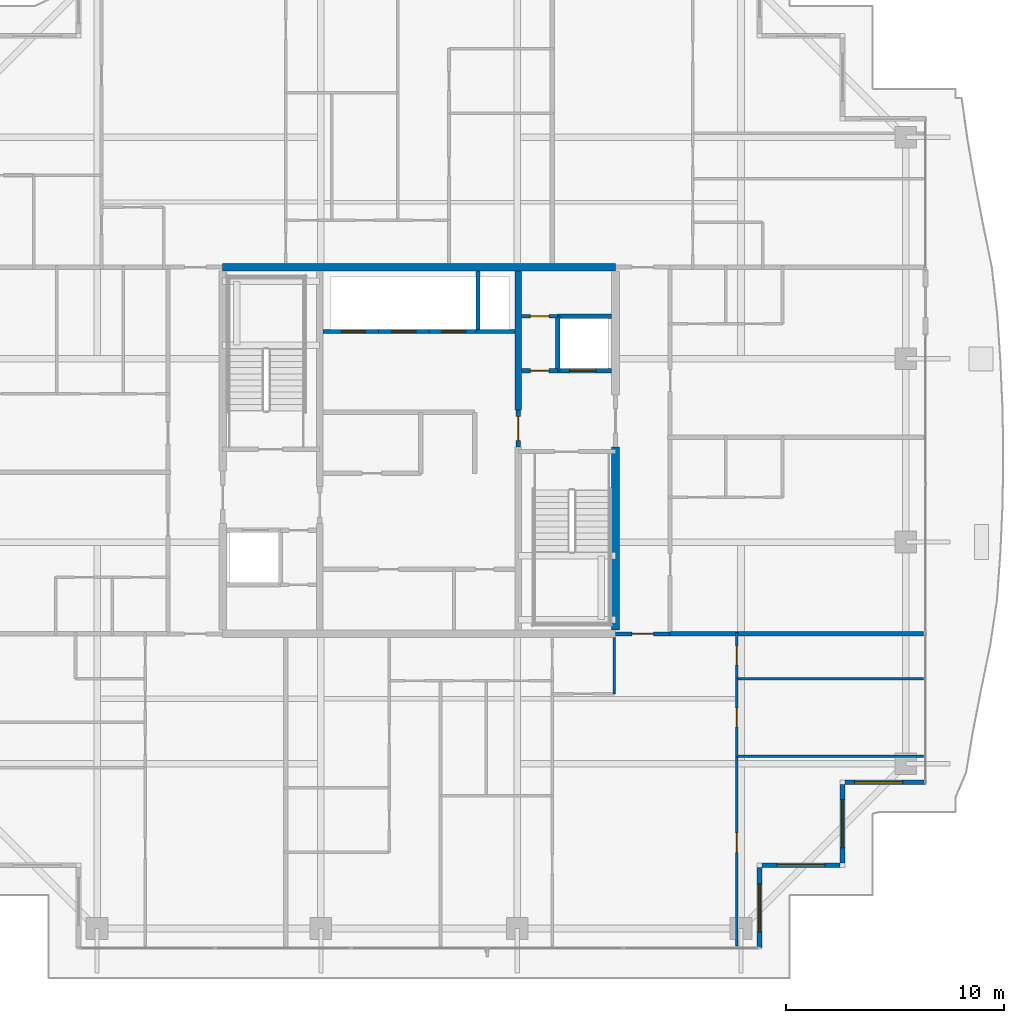
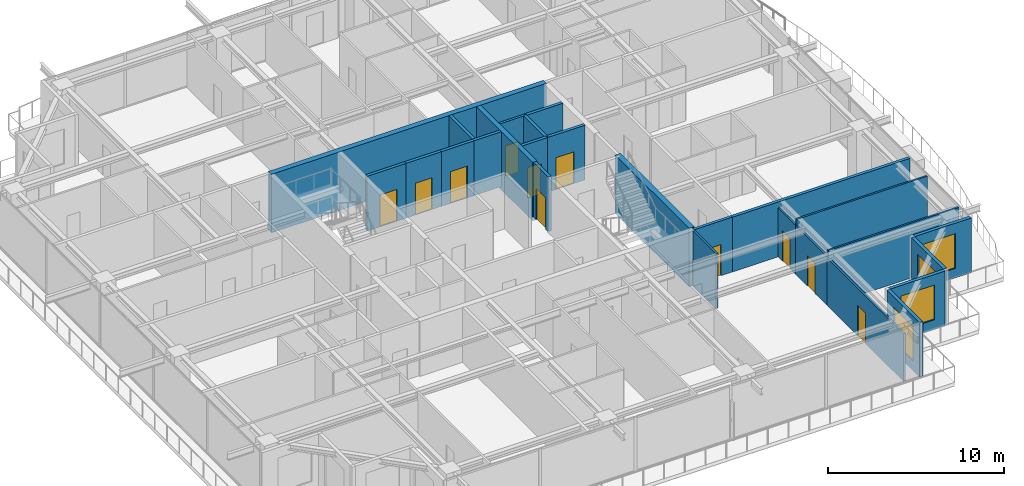
# One storey, part 30 of 40: 26 walls, 11 doors, 4 windows, 15 openings.
"""IFC4 building model written with IfcOpenShell, lengths in metres."""

from ifc_helpers import new_model, si_unit, direction, frame, frame_2d, origin, place, context, subcontext, project, spatial, rectangle, extrude, source, transform, mapped, material, layer, layer_set, type_object, element, fill, save


model = new_model("IFC4")

# Units and contexts
model_context = context("Model", 3, precision=1e-05, world=origin(), true_north=direction((0.0, 1.0)))
body_context = subcontext(model_context, "Body", "Model", "MODEL_VIEW")
ifc_project = project(units=[si_unit("LENGTHUNIT", "METRE"), si_unit("AREAUNIT", "SQUARE_METRE"), si_unit("VOLUMEUNIT", "CUBIC_METRE"), si_unit("PLANEANGLEUNIT", "RADIAN"), si_unit("MASSUNIT", "GRAM", prefix="KILO")], contexts=[model_context])

# Site, building, storey
site_placement = place(None, origin())
site = spatial("IfcSite", under=ifc_project, at=site_placement, CompositionType="ELEMENT")
building_placement = place(site_placement, origin())
building = spatial("IfcBuilding", under=site, at=building_placement, Name="Serunith Strait Residences", CompositionType="ELEMENT")
storey_placement = place(building_placement, frame((0.0, 0.0, 313.699951171875)))
storey = spatial("IfcBuildingStorey", under=building, at=storey_placement, Name="L78", CompositionType="ELEMENT", Elevation=313.699951171875)

# Wall, opening, window
ifc_material_1 = material(Name="Pale-Champagne Aluminium Insulated Panel", Category="aluminium")
ifc_layer_1 = layer(ifc_material_1, 0.219970703125, Name="Pale-Champagne Aluminium Insulated Panel")
ifc_layer_set_1 = layer_set([ifc_layer_1], Name="Pale-Champagne Aluminium Insulated Panel")
wall_type_1 = type_object("IfcWallType", Name="EW-ALUM-220", PredefinedType="ELEMENTEDWALL", material=ifc_layer_set_1)
wall_1_placement = place(storey_placement, frame((48.0, 2.39990234375, 0.0), z_axis=(0.0, 0.0, 1.0), x_axis=(0.0, 1.0, 0.0)))
wall_1 = element("IfcWall", 1, at=wall_1_placement, inside=storey, type_object=wall_type_1, Name="L78 Girih Serrated Corner Wall 02", PredefinedType="ELEMENTEDWALL", context=body_context, shape_type="SweptSolid", body=[
    extrude(rectangle(XDim=3.690185546875, YDim=0.219970703125, at=frame_2d((1.84521484375, 0.0))), origin(), (0.0, 0.0, 1.0), 3.775146484375),
])
opening_1_placement = place(wall_1_placement, frame((0.7451171875, 0.0, 0.64990234375)))
opening_1 = element("IfcOpeningElement", 2, at=opening_1_placement, cuts=wall_1, Name="Opening W-06", PredefinedType="OPENING", context=body_context, shape_type="SweptSolid", body=[
    extrude(rectangle(XDim=2.199951171875, YDim=2.39990234375, at=frame_2d((1.10009765625, 1.199951171875))), frame((0.0, 0.1201171875, 0.0), z_axis=(0.0, -1.0, 0.0), x_axis=(1.0, 0.0, 0.0)), (0.0, 0.0, 1.0), 0.239990234375),
])
ifc_material_2 = material(Name="Crown Penthouse Low-E Operable Window Glass", Category="glass")
window_type = type_object("IfcWindowType", Name="WIN-C6", PartitioningType="TRIPLE_PANEL_VERTICAL", PredefinedType="WINDOW", material=ifc_material_2)
shared_shape_1 = source(origin(), body_context, "Body", "SweptSolid", [
    extrude(rectangle(XDim=2.199951171875, YDim=2.39990234375, at=frame_2d((1.10009765625, 1.199951171875))), frame((0.0, 0.030029296875, 0.0), z_axis=(0.0, -1.0, 0.0), x_axis=(1.0, 0.0, 0.0)), (0.0, 0.0, 1.0), 0.06005859375),
])
window_1_placement = place(opening_1_placement, origin())
window_1 = element("IfcWindow", 3, at=window_1_placement, inside=storey, type_object=window_type, Name="L78 Corner Operable Fritted Window 02", OverallHeight=2.39990234375, OverallWidth=2.199951171875, PartitioningType="SINGLE_PANEL", PredefinedType="WINDOW", context=body_context, shape_type="MappedRepresentation", body=[
    mapped(shared_shape_1, transform((0.0, 0.0, 0.0), scale=1.0)),
])
fill(opening_1, window_1)

wall_2_placement = place(storey_placement, frame((48.110107421875, 6.199951171875, 0.0), z_axis=(0.0, 0.0, 1.0), x_axis=(1.0, 0.0, 0.0)))
wall_2 = element("IfcWall", 4, at=wall_2_placement, inside=storey, type_object=wall_type_1, Name="L78 Girih Serrated Corner Wall 03", PredefinedType="ELEMENTEDWALL", context=body_context, shape_type="SweptSolid", body=[
    extrude(rectangle(XDim=3.579833984375, YDim=0.219970703125, at=frame_2d((1.7900390625, 0.0))), origin(), (0.0, 0.0, 1.0), 3.775146484375),
])
opening_2_placement = place(wall_2_placement, frame((0.68994140625, 0.0, 0.64990234375)))
opening_2 = element("IfcOpeningElement", 5, at=opening_2_placement, cuts=wall_2, Name="Opening W-06", PredefinedType="OPENING", context=body_context, shape_type="SweptSolid", body=[
    extrude(rectangle(XDim=2.199951171875, YDim=2.39990234375, at=frame_2d((1.10009765625, 1.199951171875))), frame((0.0, 0.1201171875, 0.0), z_axis=(0.0, -1.0, 0.0), x_axis=(1.0, 0.0, 0.0)), (0.0, 0.0, 1.0), 0.239990234375),
])
window_2_placement = place(opening_2_placement, origin())
window_2 = element("IfcWindow", 6, at=window_2_placement, inside=storey, type_object=window_type, Name="L78 Corner Operable Fritted Window 03", OverallHeight=2.39990234375, OverallWidth=2.199951171875, PartitioningType="SINGLE_PANEL", PredefinedType="WINDOW", context=body_context, shape_type="MappedRepresentation", body=[
    mapped(shared_shape_1, transform((0.0, 0.0, 0.0), scale=1.0)),
])
fill(opening_2, window_2)

wall_3_placement = place(storey_placement, frame((51.800048828125, 6.31005859375, 0.0), z_axis=(0.0, 0.0, 1.0), x_axis=(0.0, 1.0, 0.0)))
wall_3 = element("IfcWall", 7, at=wall_3_placement, inside=storey, type_object=wall_type_1, Name="L78 Girih Serrated Corner Wall 04", PredefinedType="ELEMENTEDWALL", context=body_context, shape_type="SweptSolid", body=[
    extrude(rectangle(XDim=3.579833984375, YDim=0.219970703125, at=frame_2d((1.7900390625, 0.0))), origin(), (0.0, 0.0, 1.0), 3.775146484375),
])
opening_3_placement = place(wall_3_placement, frame((0.68994140625, 0.0, 0.64990234375)))
opening_3 = element("IfcOpeningElement", 8, at=opening_3_placement, cuts=wall_3, Name="Opening W-06", PredefinedType="OPENING", context=body_context, shape_type="SweptSolid", body=[
    extrude(rectangle(XDim=2.199951171875, YDim=2.39990234375, at=frame_2d((1.10009765625, 1.199951171875))), frame((0.0, 0.1201171875, 0.0), z_axis=(0.0, -1.0, 0.0), x_axis=(1.0, 0.0, 0.0)), (0.0, 0.0, 1.0), 0.239990234375),
])
window_3_placement = place(opening_3_placement, origin())
window_3 = element("IfcWindow", 9, at=window_3_placement, inside=storey, type_object=window_type, Name="L78 Corner Operable Fritted Window 04", OverallHeight=2.39990234375, OverallWidth=2.199951171875, PartitioningType="SINGLE_PANEL", PredefinedType="WINDOW", context=body_context, shape_type="MappedRepresentation", body=[
    mapped(shared_shape_1, transform((0.0, 0.0, 0.0), scale=1.0)),
])
fill(opening_3, window_3)

wall_4_placement = place(storey_placement, frame((51.909912109375, 10.0, 0.0), z_axis=(0.0, 0.0, 1.0), x_axis=(1.0, 0.0, 0.0)))
wall_4 = element("IfcWall", 10, at=wall_4_placement, inside=storey, type_object=wall_type_1, Name="L78 Girih Serrated Corner Wall 05", PredefinedType="ELEMENTEDWALL", context=body_context, shape_type="SweptSolid", body=[
    extrude(rectangle(XDim=3.690185546875, YDim=0.219970703125, at=frame_2d((1.84521484375, 0.0))), origin(), (0.0, 0.0, 1.0), 3.775146484375),
])
opening_4_placement = place(wall_4_placement, frame((0.447021484375, 0.0, 0.64990234375)))
opening_4 = element("IfcOpeningElement", 11, at=opening_4_placement, cuts=wall_4, Name="Opening W-06", PredefinedType="OPENING", context=body_context, shape_type="SweptSolid", body=[
    extrude(rectangle(XDim=2.199951171875, YDim=2.39990234375, at=frame_2d((1.10009765625, 1.199951171875))), frame((0.0, 0.1201171875, 0.0), z_axis=(0.0, -1.0, 0.0), x_axis=(1.0, 0.0, 0.0)), (0.0, 0.0, 1.0), 0.239990234375),
])
window_4_placement = place(opening_4_placement, origin())
window_4 = element("IfcWindow", 12, at=window_4_placement, inside=storey, type_object=window_type, Name="L78 Corner Operable Fritted Window 05", OverallHeight=2.39990234375, OverallWidth=2.199951171875, PartitioningType="SINGLE_PANEL", PredefinedType="WINDOW", context=body_context, shape_type="MappedRepresentation", body=[
    mapped(shared_shape_1, transform((0.0, 0.0, 0.0), scale=1.0)),
])
fill(opening_4, window_4)

# Wall, opening, door
ifc_material_3 = material(Name="Fire-rated masonry service closet wall", Category="masonry")
ifc_layer_2 = layer(ifc_material_3, 0.14990234375, Name="Fire-rated masonry service closet wall")
ifc_layer_set_2 = layer_set([ifc_layer_2], Name="Fire-rated masonry service closet wall")
wall_type_2 = type_object("IfcWallType", Name="IW-BOH-150", PredefinedType="PARTITIONING", material=ifc_layer_set_2)
wall_5_placement = place(storey_placement, frame((37.10009765625, 31.35009765625, 0.0), z_axis=(0.0, 0.0, 1.0), x_axis=(1.0, 0.0, 0.0)))
wall_5 = element("IfcWall", 13, at=wall_5_placement, inside=storey, type_object=wall_type_2, Name="L78 Partition Wall 012", PredefinedType="PARTITIONING", context=body_context, shape_type="SweptSolid", body=[
    extrude(rectangle(XDim=1.64794921875, YDim=0.14990234375, at=frame_2d((0.823974609375, 0.0))), origin(), (0.0, 0.0, 1.0), 3.7900390625),
])
opening_5_placement = place(wall_5_placement, frame((0.39892578125, 0.0, 0.0)))
opening_5 = element("IfcOpeningElement", 14, at=opening_5_placement, cuts=wall_5, Name="Opening FD-850", PredefinedType="OPENING", context=body_context, shape_type="SweptSolid", body=[
    extrude(rectangle(XDim=0.85009765625, YDim=2.10009765625, at=frame_2d((0.425048828125, 1.050048828125))), frame((0.0, 0.0849609375, 0.0), z_axis=(0.0, -1.0, 0.0), x_axis=(1.0, 0.0, 0.0)), (0.0, 0.0, 1.0), 0.169921875),
])
ifc_material_4 = material(Name="Powder-coated steel service closet door", Category="steel")
door_type_1 = type_object("IfcDoorType", Name="FD-BOH-850", OperationType="NOTDEFINED", PredefinedType="DOOR", material=ifc_material_4)
shared_shape_2 = source(origin(), body_context, "Body", "SweptSolid", [
    extrude(rectangle(XDim=0.85009765625, YDim=2.10009765625, at=frame_2d((0.425048828125, 1.050048828125))), frame((0.0, 0.02490234375, 0.0), z_axis=(0.0, -1.0, 0.0), x_axis=(1.0, 0.0, 0.0)), (0.0, 0.0, 1.0), 0.050048828125),
])
door_1_placement = place(opening_5_placement, origin())
door_1 = element("IfcDoor", 15, at=door_1_placement, inside=storey, type_object=door_type_1, Name="L78 Refuse Store Door", OperationType="SINGLE_SWING_LEFT", OverallHeight=2.10009765625, OverallWidth=0.85009765625, PredefinedType="DOOR", context=body_context, shape_type="MappedRepresentation", body=[
    mapped(shared_shape_2, transform((0.0, 0.0, 0.0), scale=1.0)),
])
fill(opening_5, door_1)

ifc_material_5 = material(Name="Fire-rated acoustic gypsum partition")
ifc_layer_3 = layer(ifc_material_5, 0.179931640625, Name="Fire-rated acoustic gypsum partition")
ifc_layer_set_3 = layer_set([ifc_layer_3], Name="Fire-rated acoustic gypsum partition")
wall_type_3 = type_object("IfcWallType", Name="IW-CORR-180", PredefinedType="PARTITIONING", material=ifc_layer_set_3)
wall_6_placement = place(storey_placement, frame((41.402099609375, 16.800048828125, 0.0), z_axis=(0.0, 0.0, 1.0), x_axis=(1.0, 0.0, 0.0)))
wall_6 = element("IfcWall", 16, at=wall_6_placement, inside=storey, type_object=wall_type_3, Name="L78 Partition Wall 031", PredefinedType="PARTITIONING", context=body_context, shape_type="SweptSolid", body=[
    extrude(rectangle(XDim=2.495849609375, YDim=0.179931640625, at=frame_2d((1.248046875, 0.0))), origin(), (0.0, 0.0, 1.0), 3.7900390625),
])
opening_6_placement = place(wall_6_placement, frame((0.748046875, 0.0, 0.0)))
opening_6 = element("IfcOpeningElement", 17, at=opening_6_placement, cuts=wall_6, Name="Opening D-APT1000", PredefinedType="OPENING", context=body_context, shape_type="SweptSolid", body=[
    extrude(rectangle(XDim=1.0, YDim=2.14990234375, at=frame_2d((0.5, 1.074951171875))), frame((0.0, 0.10009765625, 0.0), z_axis=(0.0, -1.0, 0.0), x_axis=(1.0, 0.0, 0.0)), (0.0, 0.0, 1.0), 0.199951171875),
])
ifc_material_6 = material(Name="Solid timber engineered fire door", Category="wood")
door_type_2 = type_object("IfcDoorType", Name="ID-APT-1000", OperationType="NOTDEFINED", PredefinedType="DOOR", material=ifc_material_6)
shared_shape_3 = source(origin(), body_context, "Body", "SweptSolid", [
    extrude(rectangle(XDim=1.0, YDim=2.14990234375, at=frame_2d((0.5, 1.074951171875))), frame((0.0, 0.02490234375, 0.0), z_axis=(0.0, -1.0, 0.0), x_axis=(1.0, 0.0, 0.0)), (0.0, 0.0, 1.0), 0.050048828125),
])
door_2_placement = place(opening_6_placement, origin())
door_2 = element("IfcDoor", 18, at=door_2_placement, inside=storey, type_object=door_type_2, Name="L78 Unit 02 Entrance Door", OperationType="SINGLE_SWING_LEFT", OverallHeight=2.14990234375, OverallWidth=1.0, PredefinedType="DOOR", context=body_context, shape_type="MappedRepresentation", body=[
    mapped(shared_shape_3, transform((0.0, 0.0, 0.0), scale=1.0)),
])
fill(opening_6, door_2)

# Wall
ifc_material_7 = material(Name="Lightweight steel-stud gypsum partition", Category="steel")
ifc_layer_4 = layer(ifc_material_7, 0.1201171875, Name="Lightweight steel-stud gypsum partition")
ifc_layer_set_4 = layer_set([ifc_layer_4], Name="Lightweight steel-stud gypsum partition")
wall_type_4 = type_object("IfcWallType", Name="IW-PART-120", PredefinedType="PARTITIONING", material=ifc_layer_set_4)
wall_7_placement = place(storey_placement, frame((41.35009765625, 14.050048828125, 0.0), z_axis=(0.0, 0.0, 1.0), x_axis=(0.0, 1.0, 0.0)))
element("IfcWall", 19, at=wall_7_placement, inside=storey, type_object=wall_type_4, Name="L78 Partition Wall 043", PredefinedType="PARTITIONING", context=body_context, shape_type="SweptSolid", body=[
    extrude(rectangle(XDim=2.574951171875, YDim=0.1201171875, at=frame_2d((1.28759765625, 0.0))), origin(), (0.0, 0.0, 1.0), 3.7900390625),
])

# Wall, opening, door
wall_8_placement = place(storey_placement, frame((46.949951171875, 2.4951171875, 0.0), z_axis=(0.0, 0.0, 1.0), x_axis=(0.0, 1.0, 0.0)))
wall_8 = element("IfcWall", 20, at=wall_8_placement, inside=storey, type_object=wall_type_4, Name="L78 Partition Wall 058", PredefinedType="PARTITIONING", context=body_context, shape_type="SweptSolid", body=[
    extrude(rectangle(XDim=8.68798828125, YDim=0.1201171875, at=frame_2d((4.343994140625, 0.0))), origin(), (0.0, 0.0, 1.0), 3.2919921875),
])
opening_7_placement = place(wall_8_placement, frame((4.282958984375, 0.0, 0.0)))
opening_7 = element("IfcOpeningElement", 21, at=opening_7_placement, cuts=wall_8, Name="Opening D-RM900", PredefinedType="OPENING", context=body_context, shape_type="SweptSolid", body=[
    extrude(rectangle(XDim=0.89990234375, YDim=2.10009765625, at=frame_2d((0.449951171875, 1.050048828125))), frame((0.0, 0.070068359375, 0.0), z_axis=(0.0, -1.0, 0.0), x_axis=(1.0, 0.0, 0.0)), (0.0, 0.0, 1.0), 0.14013671875),
])
ifc_material_8 = material(Name="Engineered timber flush bedroom door", Category="wood")
door_type_3 = type_object("IfcDoorType", Name="ID-ROOM-900", OperationType="NOTDEFINED", PredefinedType="DOOR", material=ifc_material_8)
shared_shape_4 = source(origin(), body_context, "Body", "SweptSolid", [
    extrude(rectangle(XDim=0.89990234375, YDim=2.10009765625, at=frame_2d((0.449951171875, 1.050048828125))), frame((0.0, 0.02490234375, 0.0), z_axis=(0.0, -1.0, 0.0), x_axis=(1.0, 0.0, 0.0)), (0.0, 0.0, 1.0), 0.050048828125),
])
door_3_placement = place(opening_7_placement, origin())
door_3 = element("IfcDoor", 22, at=door_3_placement, inside=storey, type_object=door_type_3, Name="L78 Bedroom 3 7802 Door", OperationType="SINGLE_SWING_LEFT", OverallHeight=2.10009765625, OverallWidth=0.89990234375, PredefinedType="DOOR", context=body_context, shape_type="MappedRepresentation", body=[
    mapped(shared_shape_4, transform((0.0, 0.0, 0.0), scale=1.0)),
])
fill(opening_7, door_3)

# Walls
for number, where, z_axis, x_axis, name in (
    (23, (46.949951171875, 11.18310546875, 0.0), (0.0, 0.0, 1.0), (1.0, 0.0, 0.0), "L78 Partition Wall 059"),
    (24, (46.949951171875, 14.75, 0.0), (0.0, 0.0, 1.0), (1.0, 0.0, 0.0), "L78 Partition Wall 060"),
):
    element("IfcWall", number, at=place(storey_placement, frame(where, z_axis=z_axis, x_axis=x_axis)), inside=storey, type_object=wall_type_4, Name=name, PredefinedType="PARTITIONING", context=body_context, shape_type="SweptSolid", body=[
        extrude(rectangle(XDim=8.554931640625, YDim=0.1201171875, at=frame_2d((4.27734375, 0.0))), origin(), (0.0, 0.0, 1.0), 3.7900390625),
    ])

# Wall, opening, door
wall_9_placement = place(storey_placement, frame((46.949951171875, 11.18505859375, 0.0), z_axis=(0.0, 0.0, 1.0), x_axis=(0.0, 1.0, 0.0)))
wall_9 = element("IfcWall", 25, at=wall_9_placement, inside=storey, type_object=wall_type_4, Name="L78 Partition Wall 061", PredefinedType="PARTITIONING", context=body_context, shape_type="SweptSolid", body=[
    extrude(rectangle(XDim=3.56494140625, YDim=0.1201171875, at=frame_2d((1.782470703125, 0.0))), origin(), (0.0, 0.0, 1.0), 3.3720703125),
])
opening_8_placement = place(wall_9_placement, frame((1.35693359375, 0.0, 0.0)))
opening_8 = element("IfcOpeningElement", 26, at=opening_8_placement, cuts=wall_9, Name="Opening D-RM850", PredefinedType="OPENING", context=body_context, shape_type="SweptSolid", body=[
    extrude(rectangle(XDim=0.85009765625, YDim=2.10009765625, at=frame_2d((0.425048828125, 1.050048828125))), frame((0.0, 0.070068359375, 0.0), z_axis=(0.0, -1.0, 0.0), x_axis=(1.0, 0.0, 0.0)), (0.0, 0.0, 1.0), 0.14013671875),
])
ifc_material_9 = material(Name="Engineered timber flush study and kitchen door", Category="wood")
door_type_4 = type_object("IfcDoorType", Name="ID-ROOM-850", OperationType="NOTDEFINED", PredefinedType="DOOR", material=ifc_material_9)
door_4_placement = place(opening_8_placement, origin())
door_4 = element("IfcDoor", 27, at=door_4_placement, inside=storey, type_object=door_type_4, Name="L78 Walk-in Wardrobe 7802 Door", OperationType="SINGLE_SWING_RIGHT", OverallHeight=2.10009765625, OverallWidth=0.85009765625, PredefinedType="DOOR", context=body_context, shape_type="MappedRepresentation", body=[
    mapped(shared_shape_2, transform((0.0, 0.0, 0.0), scale=1.0)),
])
fill(opening_8, door_4)

wall_10_placement = place(storey_placement, frame((46.949951171875, 14.751953125, 0.0), z_axis=(0.0, 0.0, 1.0), x_axis=(0.0, 1.0, 0.0)))
wall_10 = element("IfcWall", 28, at=wall_10_placement, inside=storey, type_object=wall_type_4, Name="L78 Partition Wall 062", PredefinedType="PARTITIONING", context=body_context, shape_type="SweptSolid", body=[
    extrude(rectangle(XDim=2.108154296875, YDim=0.1201171875, at=frame_2d((1.05419921875, 0.0))), origin(), (0.0, 0.0, 1.0), 3.3720703125),
])
opening_9_placement = place(wall_10_placement, frame((0.62890625, 0.0, 0.0)))
opening_9 = element("IfcOpeningElement", 29, at=opening_9_placement, cuts=wall_10, Name="Opening D-BTH850", PredefinedType="OPENING", context=body_context, shape_type="SweptSolid", body=[
    extrude(rectangle(XDim=0.85009765625, YDim=2.10009765625, at=frame_2d((0.425048828125, 1.050048828125))), frame((0.0, 0.070068359375, 0.0), z_axis=(0.0, -1.0, 0.0), x_axis=(1.0, 0.0, 0.0)), (0.0, 0.0, 1.0), 0.14013671875),
])
ifc_material_10 = material(Name="Moisture-resistant timber bathroom door", Category="wood")
door_type_5 = type_object("IfcDoorType", Name="ID-BATH-850", OperationType="NOTDEFINED", PredefinedType="DOOR", material=ifc_material_10)
door_5_placement = place(opening_9_placement, origin())
door_5 = element("IfcDoor", 30, at=door_5_placement, inside=storey, type_object=door_type_5, Name="L78 Bathroom 7802 Door", OperationType="SINGLE_SWING_LEFT", OverallHeight=2.10009765625, OverallWidth=0.85009765625, PredefinedType="DOOR", context=body_context, shape_type="MappedRepresentation", body=[
    mapped(shared_shape_2, transform((0.0, 0.0, 0.0), scale=1.0)),
])
fill(opening_9, door_5)

# Wall
ifc_material_11 = material(Name="Twin-stud acoustic gypsum board partition")
ifc_layer_5 = layer(ifc_material_11, 0.199951171875, Name="Twin-stud acoustic gypsum board partition")
ifc_layer_set_5 = layer_set([ifc_layer_5], Name="Twin-stud acoustic gypsum board partition")
wall_type_5 = type_object("IfcWallType", Name="IW-PARTY-200", PredefinedType="PARTITIONING", material=ifc_layer_set_5)
wall_11_placement = place(storey_placement, frame((43.89990234375, 16.800048828125, 0.0), z_axis=(0.0, 0.0, 1.0), x_axis=(1.0, 0.0, 0.0)))
element("IfcWall", 31, at=wall_11_placement, inside=storey, type_object=wall_type_5, Name="L78 Partition Wall 025", PredefinedType="PARTITIONING", context=body_context, shape_type="SweptSolid", body=[
    extrude(rectangle(XDim=11.6181640625, YDim=0.199951171875, at=frame_2d((5.80908203125, 0.0))), origin(), (0.0, 0.0, 1.0), 3.7900390625),
])

# Wall, opening, door
ifc_material_12 = material(Name="Autoclaved aerated concrete blockwork", Category="masonry")
ifc_layer_6 = layer(ifc_material_12, 0.199951171875, Name="Autoclaved aerated concrete blockwork")
ifc_layer_set_6 = layer_set([ifc_layer_6], Name="Autoclaved aerated concrete blockwork")
wall_type_6 = type_object("IfcWallType", Name="IW-SHAFT-200", PredefinedType="STANDARD", material=ifc_layer_set_6)
wall_12_placement = place(storey_placement, frame((38.75, 28.85009765625, 0.0), z_axis=(0.0, 0.0, 1.0), x_axis=(1.0, 0.0, 0.0)))
wall_12 = element("IfcWall", 32, at=wall_12_placement, inside=storey, type_object=wall_type_6, Name="L78 FL-2 South Shaft Wall", PredefinedType="STANDARD", context=body_context, shape_type="SweptSolid", body=[
    extrude(rectangle(XDim=2.47509765625, YDim=0.199951171875, at=frame_2d((1.237548828125, 0.0))), origin(), (0.0, 0.0, 1.0), 3.7900390625),
])
opening_10_placement = place(wall_12_placement, frame((0.550048828125, 0.0, 0.0)))
opening_10 = element("IfcOpeningElement", 33, at=opening_10_placement, cuts=wall_12, Name="Opening LD-FF1200", PredefinedType="OPENING", context=body_context, shape_type="SweptSolid", body=[
    extrude(rectangle(XDim=1.199951171875, YDim=2.199951171875, at=frame_2d((0.60009765625, 1.10009765625))), frame((0.0, 0.10986328125, 0.0), z_axis=(0.0, -1.0, 0.0), x_axis=(1.0, 0.0, 0.0)), (0.0, 0.0, 1.0), 0.219970703125),
])
ifc_material_13 = material(Name="Brushed stainless steel landing door", Category="steel")
door_type_6 = type_object("IfcDoorType", Name="LD-FF-1200", OperationType="DOUBLE_DOOR_SLIDING", PredefinedType="DOOR", material=ifc_material_13)
shared_shape_5 = source(origin(), body_context, "Body", "SweptSolid", [
    extrude(rectangle(XDim=1.199951171875, YDim=2.199951171875, at=frame_2d((0.60009765625, 1.10009765625))), frame((0.0, 0.02490234375, 0.0), z_axis=(0.0, -1.0, 0.0), x_axis=(1.0, 0.0, 0.0)), (0.0, 0.0, 1.0), 0.050048828125),
])
door_6_placement = place(opening_10_placement, origin())
door_6 = element("IfcDoor", 34, at=door_6_placement, inside=storey, type_object=door_type_6, Name="L78 FL-2 Landing Door", OperationType="DOUBLE_DOOR_SLIDING", OverallHeight=2.199951171875, OverallWidth=1.199951171875, PredefinedType="DOOR", context=body_context, shape_type="MappedRepresentation", body=[
    mapped(shared_shape_5, transform((0.0, 0.0, 0.0), scale=1.0)),
])
fill(opening_10, door_6)

wall_13_placement = place(storey_placement, frame((28.0, 30.64990234375, 0.0), z_axis=(0.0, 0.0, 1.0), x_axis=(1.0, 0.0, 0.0)))
wall_13 = element("IfcWall", 35, at=wall_13_placement, inside=storey, type_object=wall_type_6, Name="L78 PL-7 South Shaft Wall", PredefinedType="STANDARD", context=body_context, shape_type="SweptSolid", body=[
    extrude(rectangle(XDim=2.550048828125, YDim=0.199951171875, at=frame_2d((1.27490234375, 0.0))), origin(), (0.0, 0.0, 1.0), 3.7900390625),
])
opening_11_placement = place(wall_13_placement, frame((0.85009765625, 0.0, 0.0)))
opening_11 = element("IfcOpeningElement", 36, at=opening_11_placement, cuts=wall_13, Name="Opening LD-1100", PredefinedType="OPENING", context=body_context, shape_type="SweptSolid", body=[
    extrude(rectangle(XDim=1.10009765625, YDim=2.199951171875, at=frame_2d((0.550048828125, 1.10009765625))), frame((0.0, 0.10986328125, 0.0), z_axis=(0.0, -1.0, 0.0), x_axis=(1.0, 0.0, 0.0)), (0.0, 0.0, 1.0), 0.219970703125),
])
ifc_material_14 = material(Name="Pale-champagne stainless landing door")
door_type_7 = type_object("IfcDoorType", Name="LD-LIFT-1100", OperationType="DOUBLE_DOOR_SLIDING", PredefinedType="DOOR", material=ifc_material_14)
shared_shape_6 = source(origin(), body_context, "Body", "SweptSolid", [
    extrude(rectangle(XDim=1.10009765625, YDim=2.199951171875, at=frame_2d((0.550048828125, 1.10009765625))), frame((0.0, 0.02490234375, 0.0), z_axis=(0.0, -1.0, 0.0), x_axis=(1.0, 0.0, 0.0)), (0.0, 0.0, 1.0), 0.050048828125),
])
door_7_placement = place(opening_11_placement, origin())
door_7 = element("IfcDoor", 37, at=door_7_placement, inside=storey, type_object=door_type_7, Name="L78 PL-7 Landing Door", OperationType="DOUBLE_DOOR_SLIDING", OverallHeight=2.199951171875, OverallWidth=1.10009765625, PredefinedType="DOOR", context=body_context, shape_type="MappedRepresentation", body=[
    mapped(shared_shape_6, transform((0.0, 0.0, 0.0), scale=1.0)),
])
fill(opening_11, door_7)

wall_14_placement = place(storey_placement, frame((30.550048828125, 30.64990234375, 0.0), z_axis=(0.0, 0.0, 1.0), x_axis=(1.0, 0.0, 0.0)))
wall_14 = element("IfcWall", 38, at=wall_14_placement, inside=storey, type_object=wall_type_6, Name="L78 PL-8 South Shaft Wall", PredefinedType="STANDARD", context=body_context, shape_type="SweptSolid", body=[
    extrude(rectangle(XDim=2.300048828125, YDim=0.199951171875, at=frame_2d((1.14990234375, 0.0))), origin(), (0.0, 0.0, 1.0), 3.7900390625),
])
opening_12_placement = place(wall_14_placement, frame((0.60009765625, 0.0, 0.0)))
opening_12 = element("IfcOpeningElement", 39, at=opening_12_placement, cuts=wall_14, Name="Opening LD-1100", PredefinedType="OPENING", context=body_context, shape_type="SweptSolid", body=[
    extrude(rectangle(XDim=1.10009765625, YDim=2.199951171875, at=frame_2d((0.550048828125, 1.10009765625))), frame((0.0, 0.10986328125, 0.0), z_axis=(0.0, -1.0, 0.0), x_axis=(1.0, 0.0, 0.0)), (0.0, 0.0, 1.0), 0.219970703125),
])
door_8_placement = place(opening_12_placement, origin())
door_8 = element("IfcDoor", 40, at=door_8_placement, inside=storey, type_object=door_type_7, Name="L78 PL-8 Landing Door", OperationType="DOUBLE_DOOR_SLIDING", OverallHeight=2.199951171875, OverallWidth=1.10009765625, PredefinedType="DOOR", context=body_context, shape_type="MappedRepresentation", body=[
    mapped(shared_shape_6, transform((0.0, 0.0, 0.0), scale=1.0)),
])
fill(opening_12, door_8)

wall_15_placement = place(storey_placement, frame((32.85009765625, 30.64990234375, 0.0), z_axis=(0.0, 0.0, 1.0), x_axis=(1.0, 0.0, 0.0)))
wall_15 = element("IfcWall", 41, at=wall_15_placement, inside=storey, type_object=wall_type_6, Name="L78 PL-9 South Shaft Wall", PredefinedType="STANDARD", context=body_context, shape_type="SweptSolid", body=[
    extrude(rectangle(XDim=2.14990234375, YDim=0.199951171875, at=frame_2d((1.074951171875, 0.0))), origin(), (0.0, 0.0, 1.0), 3.7900390625),
])
opening_13_placement = place(wall_15_placement, frame((0.60009765625, 0.0, 0.0)))
opening_13 = element("IfcOpeningElement", 42, at=opening_13_placement, cuts=wall_15, Name="Opening LD-1100", PredefinedType="OPENING", context=body_context, shape_type="SweptSolid", body=[
    extrude(rectangle(XDim=1.10009765625, YDim=2.199951171875, at=frame_2d((0.550048828125, 1.10009765625))), frame((0.0, 0.10986328125, 0.0), z_axis=(0.0, -1.0, 0.0), x_axis=(1.0, 0.0, 0.0)), (0.0, 0.0, 1.0), 0.219970703125),
])
door_9_placement = place(opening_13_placement, origin())
door_9 = element("IfcDoor", 43, at=door_9_placement, inside=storey, type_object=door_type_7, Name="L78 PL-9 Landing Door", OperationType="DOUBLE_DOOR_SLIDING", OverallHeight=2.199951171875, OverallWidth=1.10009765625, PredefinedType="DOOR", context=body_context, shape_type="MappedRepresentation", body=[
    mapped(shared_shape_6, transform((0.0, 0.0, 0.0), scale=1.0)),
])
fill(opening_13, door_9)

# Walls
wall_16_placement = place(storey_placement, frame((35.0, 30.64990234375, 0.0), z_axis=(0.0, 0.0, 1.0), x_axis=(1.0, 0.0, 0.0)))
element("IfcWall", 44, at=wall_16_placement, inside=storey, type_object=wall_type_6, Name="L78 SL-1 South Shaft Wall", PredefinedType="STANDARD", context=body_context, shape_type="SweptSolid", body=[
    extrude(rectangle(XDim=1.800048828125, YDim=0.199951171875, at=frame_2d((0.89990234375, 0.0))), origin(), (0.0, 0.0, 1.0), 3.7900390625),
])
wall_17_placement = place(storey_placement, frame((35.10009765625, 30.75, 0.0), z_axis=(0.0, 0.0, 1.0), x_axis=(0.0, 1.0, 0.0)))
element("IfcWall", 45, at=wall_17_placement, inside=storey, type_object=wall_type_6, Name="L78 SL-1 West Shaft Wall", PredefinedType="STANDARD", context=body_context, shape_type="SweptSolid", body=[
    extrude(rectangle(XDim=2.675048828125, YDim=0.199951171875, at=frame_2d((1.33740234375, 0.0))), origin(), (0.0, 0.0, 1.0), 3.7900390625),
])
wall_18_placement = place(storey_placement, frame((38.75, 28.85009765625, 0.0), z_axis=(0.0, 0.0, 1.0), x_axis=(0.0, 1.0, 0.0)))
element("IfcWall", 46, at=wall_18_placement, inside=storey, type_object=wall_type_6, Name="L78 Partition Wall 004", PredefinedType="STANDARD", context=body_context, shape_type="SweptSolid", body=[
    extrude(rectangle(XDim=2.5, YDim=0.199951171875, at=frame_2d((1.25, 0.0))), origin(), (0.0, 0.0, 1.0), 3.7900390625),
])
wall_19_placement = place(storey_placement, frame((38.75, 31.35009765625, 0.0), z_axis=(0.0, 0.0, 1.0), x_axis=(1.0, 0.0, 0.0)))
element("IfcWall", 47, at=wall_19_placement, inside=storey, type_object=wall_type_6, Name="L78 Partition Wall 005", PredefinedType="STANDARD", context=body_context, shape_type="SweptSolid", body=[
    extrude(rectangle(XDim=2.47509765625, YDim=0.199951171875, at=frame_2d((1.237548828125, 0.0))), origin(), (0.0, 0.0, 1.0), 3.7900390625),
])

# Wall, opening, door
wall_20_placement = place(storey_placement, frame((37.10009765625, 28.85009765625, 0.0), z_axis=(0.0, 0.0, 1.0), x_axis=(1.0, 0.0, 0.0)))
wall_20 = element("IfcWall", 48, at=wall_20_placement, inside=storey, type_object=wall_type_6, Name="L78 Partition Wall 006", PredefinedType="STANDARD", context=body_context, shape_type="SweptSolid", body=[
    extrude(rectangle(XDim=1.64794921875, YDim=0.199951171875, at=frame_2d((0.823974609375, 0.0))), origin(), (0.0, 0.0, 1.0), 3.7900390625),
])
opening_14_placement = place(wall_20_placement, frame((0.39892578125, 0.0, 0.0)))
opening_14 = element("IfcOpeningElement", 49, at=opening_14_placement, cuts=wall_20, Name="Opening FD-850", PredefinedType="OPENING", context=body_context, shape_type="SweptSolid", body=[
    extrude(rectangle(XDim=0.85009765625, YDim=2.10009765625, at=frame_2d((0.425048828125, 1.050048828125))), frame((0.0, 0.10986328125, 0.0), z_axis=(0.0, -1.0, 0.0), x_axis=(1.0, 0.0, 0.0)), (0.0, 0.0, 1.0), 0.219970703125),
])
door_10_placement = place(opening_14_placement, origin())
door_10 = element("IfcDoor", 50, at=door_10_placement, inside=storey, type_object=door_type_1, Name="L78 North-East Core Service Door", OperationType="SINGLE_SWING_LEFT", OverallHeight=2.10009765625, OverallWidth=0.85009765625, PredefinedType="DOOR", context=body_context, shape_type="MappedRepresentation", body=[
    mapped(shared_shape_2, transform((0.0, 0.0, 0.0), scale=1.0)),
])
fill(opening_14, door_10)

wall_21_placement = place(storey_placement, frame((36.949951171875, 25.35205078125, 0.0), z_axis=(0.0, 0.0, 1.0), x_axis=(0.0, 1.0, 0.0)))
wall_21 = element("IfcWall", 51, at=wall_21_placement, inside=storey, type_object=wall_type_6, Name="L78 Partition Wall 010", PredefinedType="STANDARD", context=body_context, shape_type="SweptSolid", body=[
    extrude(rectangle(XDim=1.696044921875, YDim=0.199951171875, at=frame_2d((0.84814453125, 0.0))), origin(), (0.0, 0.0, 1.0), 3.7900390625),
])
opening_15_placement = place(wall_21_placement, frame((0.298095703125, 0.0, 0.0)))
opening_15 = element("IfcOpeningElement", 52, at=opening_15_placement, cuts=wall_21, Name="Opening FD-FFL", PredefinedType="OPENING", context=body_context, shape_type="SweptSolid", body=[
    extrude(rectangle(XDim=1.10009765625, YDim=2.14990234375, at=frame_2d((0.550048828125, 1.074951171875))), frame((0.0, 0.10986328125, 0.0), z_axis=(0.0, -1.0, 0.0), x_axis=(1.0, 0.0, 0.0)), (0.0, 0.0, 1.0), 0.219970703125),
])
ifc_material_15 = material(Name="Glazed steel smoke-lobby fire door", Category="steel")
door_type_8 = type_object("IfcDoorType", Name="FD-FFL-1100", OperationType="NOTDEFINED", PredefinedType="DOOR", material=ifc_material_15)
shared_shape_7 = source(origin(), body_context, "Body", "SweptSolid", [
    extrude(rectangle(XDim=1.10009765625, YDim=2.14990234375, at=frame_2d((0.550048828125, 1.074951171875))), frame((0.0, 0.02490234375, 0.0), z_axis=(0.0, -1.0, 0.0), x_axis=(1.0, 0.0, 0.0)), (0.0, 0.0, 1.0), 0.050048828125),
])
door_11_placement = place(opening_15_placement, origin())
door_11 = element("IfcDoor", 53, at=door_11_placement, inside=storey, type_object=door_type_8, Name="L78 FFL-2 Lift Lobby Door", OperationType="SINGLE_SWING_LEFT", OverallHeight=2.14990234375, OverallWidth=1.10009765625, PredefinedType="DOOR", context=body_context, shape_type="MappedRepresentation", body=[
    mapped(shared_shape_7, transform((0.0, 0.0, 0.0), scale=1.0)),
])
fill(opening_15, door_11)

# Walls
ifc_material_16 = material(Name="Concrete C60/75", Category="concrete")
ifc_layer_7 = layer(ifc_material_16, 0.300048828125, Name="Concrete C60/75")
ifc_layer_set_7 = layer_set([ifc_layer_7], Name="Concrete C60/75")
wall_type_7 = type_object("IfcWallType", Name="SW-300-C60", PredefinedType="SHEAR", material=ifc_layer_set_7)
wall_22_placement = place(storey_placement, frame((36.949951171875, 27.050048828125, -0.260009765625), z_axis=(0.0, 0.0, 1.0), x_axis=(0.0, 1.0, 0.0)))
element("IfcWall", 54, at=wall_22_placement, inside=storey, type_object=wall_type_7, Name="L78 Core Internal East Web North Pier", PredefinedType="SHEAR", context=body_context, shape_type="SweptSolid", body=[
    extrude(rectangle(XDim=6.375, YDim=0.300048828125, at=frame_2d((3.1875, 0.0))), origin(), (0.0, 0.0, 1.0), 4.048095703125),
])
ifc_layer_8 = layer(ifc_material_16, 0.35009765625, Name="Concrete C60/75")
ifc_layer_set_8 = layer_set([ifc_layer_8], Name="Concrete C60/75")
wall_type_8 = type_object("IfcWallType", Name="SW-350-C60", PredefinedType="SHEAR", material=ifc_layer_set_8)
wall_23_placement = place(storey_placement, frame((41.39990234375, 33.60009765625, -0.260009765625), z_axis=(0.0, 0.0, 1.0), x_axis=(-1.0, 0.0, 0.0)))
element("IfcWall", 55, at=wall_23_placement, inside=storey, type_object=wall_type_8, Name="L78 Core North Shear Wall", PredefinedType="SHEAR", context=body_context, shape_type="SweptSolid", body=[
    extrude(rectangle(XDim=18.0, YDim=0.35009765625, at=frame_2d((9.0, 0.0))), origin(), (0.0, 0.0, 1.0), 4.048095703125),
])
wall_24_placement = place(storey_placement, frame((41.39990234375, 16.97509765625, -0.260009765625), z_axis=(0.0, 0.0, 1.0), x_axis=(0.0, 1.0, 0.0)))
element("IfcWall", 56, at=wall_24_placement, inside=storey, type_object=wall_type_8, Name="L78 Core East Shear Wall South Pier", PredefinedType="SHEAR", context=body_context, shape_type="SweptSolid", body=[
    extrude(rectangle(XDim=8.375, YDim=0.35009765625, at=frame_2d((4.1875, 0.0))), origin(), (0.0, 0.0, 1.0), 4.048095703125),
])

save(model, "model.ifc")
